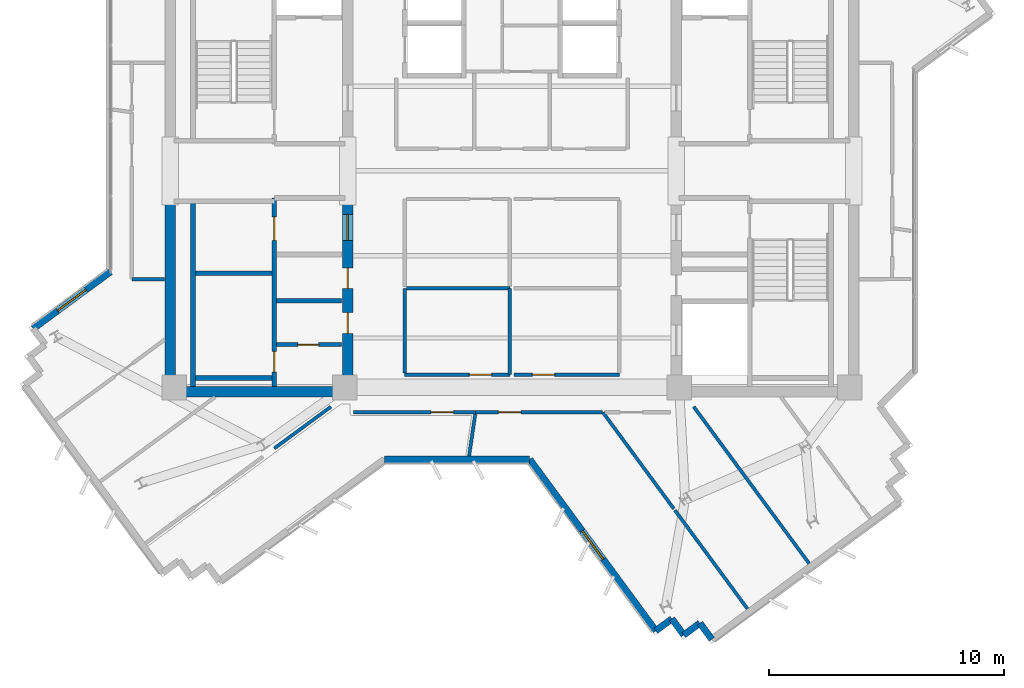
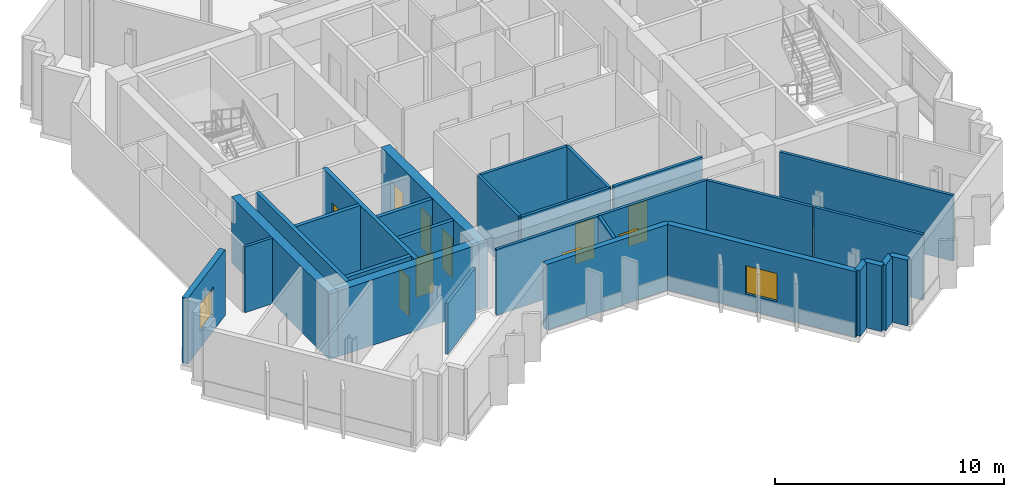
# One storey, part 6 of 13: 29 walls, 10 doors, 2 windows, 12 openings.
"""IFC4 building model written with IfcOpenShell, lengths in metres."""

from ifc_helpers import new_model, si_unit, direction, frame, frame_2d, origin, place, context, subcontext, project, spatial, rectangle, extrude, source, transform, mapped, material, layer, layer_set, type_object, element, fill, save


model = new_model("IFC4")

# Units and contexts
model_context = context("Model", 3, precision=1e-05, world=origin(), true_north=direction((0.0, 1.0)))
body_context = subcontext(model_context, "Body", "Model", "MODEL_VIEW")
ifc_project = project(units=[si_unit("LENGTHUNIT", "METRE"), si_unit("AREAUNIT", "SQUARE_METRE"), si_unit("VOLUMEUNIT", "CUBIC_METRE"), si_unit("PLANEANGLEUNIT", "RADIAN"), si_unit("MASSUNIT", "GRAM", prefix="KILO")], contexts=[model_context])

# Site, building, storey
site_placement = place(None, origin())
site = spatial("IfcSite", under=ifc_project, at=site_placement, CompositionType="ELEMENT")
building_placement = place(site_placement, origin())
building = spatial("IfcBuilding", under=site, at=building_placement, Name="Zahravan Cultural Tower", CompositionType="ELEMENT")
storey_placement = place(building_placement, frame((0.0, 0.0, 272.85009765625)))
storey = spatial("IfcBuildingStorey", under=building, at=storey_placement, Name="L65", CompositionType="ELEMENT", Elevation=272.85009765625)

# Wall, openings, doors
ifc_material_1 = material(Name="Concrete C50/60", Category="concrete")
ifc_layer_1 = layer(ifc_material_1, 0.449951171875)
ifc_layer_set_1 = layer_set([ifc_layer_1], Name="Concrete C50/60")
wall_type_1 = type_object("IfcWallType", Name="CW-SHEAR-450-C50", PredefinedType="SHEAR", material=ifc_layer_set_1)
wall_1_placement = place(storey_placement, frame((29.02490234375, 17.39990234375, 0.0), z_axis=(0.0, 0.0, 1.0), x_axis=(0.0, 1.0, 0.0)))
wall_1 = element("IfcWall", 1, at=wall_1_placement, inside=storey, type_object=wall_type_1, Name="L65 Core Shear Wall CW-W-ES-L65", PredefinedType="SHEAR", context=body_context, shape_type="SweptSolid", body=[
    extrude(rectangle(XDim=8.550048828125, YDim=0.449951171875, at=frame_2d((4.27490234375, 0.0))), origin(), (0.0, 0.0, 1.0), 3.5),
])
opening_1_placement = place(wall_1_placement, frame((6.64990234375, 0.0, 0.0)))
opening_1 = element("IfcOpeningElement", 2, at=opening_1_placement, cuts=wall_1, Name="Opening D-L65-08", PredefinedType="OPENING", context=body_context, shape_type="SweptSolid", body=[
    extrude(rectangle(XDim=1.10009765625, YDim=2.199951171875, at=frame_2d((0.550048828125, 1.10009765625))), frame((0.0, 0.23486328125, 0.0), z_axis=(0.0, -1.0, 0.0), x_axis=(1.0, 0.0, 0.0)), (0.0, 0.0, 1.0), 0.469970703125),
])
opening_2_placement = place(wall_1_placement, frame((2.699951171875, 0.0, 0.0)))
opening_2 = element("IfcOpeningElement", 3, at=opening_2_placement, cuts=wall_1, Name="Opening D-L65-11", PredefinedType="OPENING", context=body_context, shape_type="SweptSolid", body=[
    extrude(rectangle(XDim=0.8798828125, YDim=2.10009765625, at=frame_2d((0.43994140625, 1.050048828125))), frame((0.0, 0.23486328125, 0.0), z_axis=(0.0, -1.0, 0.0), x_axis=(1.0, 0.0, 0.0)), (0.0, 0.0, 1.0), 0.469970703125),
])
opening_3_placement = place(wall_1_placement, frame((4.60009765625, 0.0, 0.0)))
opening_3 = element("IfcOpeningElement", 4, at=opening_3_placement, cuts=wall_1, Name="Opening D-L65-12", PredefinedType="OPENING", context=body_context, shape_type="SweptSolid", body=[
    extrude(rectangle(XDim=0.8798828125, YDim=2.10009765625, at=frame_2d((0.43994140625, 1.050048828125))), frame((0.0, 0.23486328125, 0.0), z_axis=(0.0, -1.0, 0.0), x_axis=(1.0, 0.0, 0.0)), (0.0, 0.0, 1.0), 0.469970703125),
])
ifc_material_2 = material(Name="Steel ASTM A572 Grade 50", Category="steel")
door_type_1 = type_object("IfcDoorType", Name="DR-LOBBY-1100", OperationType="NOTDEFINED", PredefinedType="DOOR", material=ifc_material_2)
shared_shape_1 = source(origin(), body_context, "Body", "SweptSolid", [
    extrude(rectangle(XDim=1.10009765625, YDim=2.199951171875, at=frame_2d((0.550048828125, 1.10009765625))), frame((0.0, 0.02490234375, 0.0), z_axis=(0.0, -1.0, 0.0), x_axis=(1.0, 0.0, 0.0)), (0.0, 0.0, 1.0), 0.050048828125),
])
door_1_placement = place(opening_1_placement, origin())
door_1 = element("IfcDoor", 5, at=door_1_placement, inside=storey, type_object=door_type_1, Name="L65 Door D-L65-08", OperationType="SINGLE_SWING_LEFT", OverallHeight=2.199951171875, OverallWidth=1.10009765625, PredefinedType="DOOR", context=body_context, shape_type="MappedRepresentation", body=[
    mapped(shared_shape_1, transform((0.0, 0.0, 0.0), x_axis=(1.0, 0.0, 0.0), y_axis=(0.0, 1.0, 0.0), z_axis=(0.0, 0.0, 1.0), scale=1.0)),
])
fill(opening_1, door_1)
door_type_2 = type_object("IfcDoorType", Name="DR-SVC-880", OperationType="NOTDEFINED", PredefinedType="DOOR", material=ifc_material_2)
shared_shape_2 = source(origin(), body_context, "Body", "SweptSolid", [
    extrude(rectangle(XDim=0.8798828125, YDim=2.10009765625, at=frame_2d((0.43994140625, 1.050048828125))), frame((0.0, 0.02490234375, 0.0), z_axis=(0.0, -1.0, 0.0), x_axis=(1.0, 0.0, 0.0)), (0.0, 0.0, 1.0), 0.050048828125),
])
door_2_placement = place(opening_2_placement, origin())
door_2 = element("IfcDoor", 6, at=door_2_placement, inside=storey, type_object=door_type_2, Name="L65 Door D-L65-11", OperationType="SINGLE_SWING_RIGHT", OverallHeight=2.10009765625, OverallWidth=0.8798828125, PredefinedType="DOOR", context=body_context, shape_type="MappedRepresentation", body=[
    mapped(shared_shape_2, transform((0.0, 0.0, 0.0), x_axis=(1.0, 0.0, 0.0), y_axis=(0.0, 1.0, 0.0), z_axis=(0.0, 0.0, 1.0), scale=1.0)),
])
fill(opening_2, door_2)
door_3_placement = place(opening_3_placement, origin())
door_3 = element("IfcDoor", 7, at=door_3_placement, inside=storey, type_object=door_type_2, Name="L65 Door D-L65-12", OperationType="SINGLE_SWING_LEFT", OverallHeight=2.10009765625, OverallWidth=0.8798828125, PredefinedType="DOOR", context=body_context, shape_type="MappedRepresentation", body=[
    mapped(shared_shape_2, transform((0.0, 0.0, 0.0), x_axis=(1.0, 0.0, 0.0), y_axis=(0.0, 1.0, 0.0), z_axis=(0.0, 0.0, 1.0), scale=1.0)),
])
fill(opening_3, door_3)

# Wall, opening, window
ifc_material_3 = material(Name="Precast concrete C40/50", Category="concrete")
ifc_layer_2 = layer(ifc_material_3, 0.280029296875)
ifc_layer_set_2 = layer_set([ifc_layer_2], Name="Precast concrete C40/50")
wall_type_2 = type_object("IfcWallType", Name="EW-TC-280", PredefinedType="SOLIDWALL", material=ifc_layer_set_2)
wall_2_placement = place(storey_placement, frame((42.111083984375, 7.459716796875, 0.0), z_axis=(0.0, 0.0, 1.0), x_axis=(-0.592715239748, 0.805412096117, 0.0)))
wall_2 = element("IfcWall", 8, at=wall_2_placement, inside=storey, type_object=wall_type_2, Name="L65 Exterior Masonry Frame Wall 23", PredefinedType="SOLIDWALL", context=body_context, shape_type="SweptSolid", body=[
    extrude(rectangle(XDim=9.039306640625, YDim=0.280029296875, at=frame_2d((4.51953125, 0.0))), origin(), (0.0, 0.0, 1.0), 3.5),
])
opening_4_placement = place(wall_2_placement, frame((3.77001953125, 0.0, 0.85009765625)))
opening_4 = element("IfcOpeningElement", 9, at=opening_4_placement, cuts=wall_2, Name="Opening WN-03", PredefinedType="OPENING", context=body_context, shape_type="SweptSolid", body=[
    extrude(rectangle(XDim=1.5, YDim=1.5, at=frame_2d((0.75, 0.75))), frame((0.0, 0.14990234375, 0.0), z_axis=(0.0, -1.0, 0.0), x_axis=(1.0, 0.0, 0.0)), (0.0, 0.0, 1.0), 0.300048828125),
])
ifc_material_4 = material(Name="Low-E solar-control double glazing", Category="glass")
window_type = type_object("IfcWindowType", Name="WN-REC-1500X1500", PartitioningType="SINGLE_PANEL", PredefinedType="WINDOW", material=ifc_material_4)
shared_shape_3 = source(origin(), body_context, "Body", "SweptSolid", [
    extrude(rectangle(XDim=1.5, YDim=1.5, at=frame_2d((0.75, 0.75))), frame((0.0, 0.030029296875, 0.0), z_axis=(0.0, -1.0, 0.0), x_axis=(1.0, 0.0, 0.0)), (0.0, 0.0, 1.0), 0.06005859375),
])
window_1_placement = place(opening_4_placement, origin())
window_1 = element("IfcWindow", 10, at=window_1_placement, inside=storey, type_object=window_type, Name="L65 Recessed Solar Window 03", OverallHeight=1.5, OverallWidth=1.5, PartitioningType="SINGLE_PANEL", PredefinedType="WINDOW", context=body_context, shape_type="MappedRepresentation", body=[
    mapped(shared_shape_3, transform((0.0, 0.0, 0.0), x_axis=(1.0, 0.0, 0.0), y_axis=(0.0, 1.0, 0.0), z_axis=(0.0, 0.0, 1.0), scale=1.0)),
])
fill(opening_4, window_1)

wall_3_placement = place(storey_placement, frame((15.654296875, 20.29638671875, 0.0), z_axis=(0.0, 0.0, 1.0), x_axis=(0.805410687764, 0.592717153486, 0.0)))
wall_3 = element("IfcWall", 11, at=wall_3_placement, inside=storey, type_object=wall_type_2, Name="L65 Exterior Masonry Frame Wall 35", PredefinedType="SOLIDWALL", context=body_context, shape_type="SweptSolid", body=[
    extrude(rectangle(XDim=4.079345703125, YDim=0.280029296875, at=frame_2d((2.03955078125, 0.0))), origin(), (0.0, 0.0, 1.0), 3.5),
])
opening_5_placement = place(wall_3_placement, frame((1.2900390625, 0.0, 0.85009765625)))
opening_5 = element("IfcOpeningElement", 12, at=opening_5_placement, cuts=wall_3, Name="Opening WN-03", PredefinedType="OPENING", context=body_context, shape_type="SweptSolid", body=[
    extrude(rectangle(XDim=1.5, YDim=1.5, at=frame_2d((0.75, 0.75))), frame((0.0, 0.14990234375, 0.0), z_axis=(0.0, -1.0, 0.0), x_axis=(1.0, 0.0, 0.0)), (0.0, 0.0, 1.0), 0.300048828125),
])
window_2_placement = place(opening_5_placement, origin())
window_2 = element("IfcWindow", 13, at=window_2_placement, inside=storey, type_object=window_type, Name="L65 Recessed Solar Window 05", OverallHeight=1.5, OverallWidth=1.5, PartitioningType="SINGLE_PANEL", PredefinedType="WINDOW", context=body_context, shape_type="MappedRepresentation", body=[
    mapped(shared_shape_3, transform((0.0, 0.0, 0.0), x_axis=(1.0, 0.0, 0.0), y_axis=(0.0, 1.0, 0.0), z_axis=(0.0, 0.0, 1.0), scale=1.0)),
])
fill(opening_5, window_2)

# Wall, opening, door
ifc_material_5 = material(Name="Gypsum plasterboard partition")
ifc_layer_3 = layer(ifc_material_5, 0.179931640625)
ifc_layer_set_3 = layer_set([ifc_layer_3], Name="Gypsum plasterboard partition")
wall_type_3 = type_object("IfcWallType", Name="W-COMP-180", PredefinedType="PARTITIONING", material=ifc_layer_set_3)
wall_4_placement = place(storey_placement, frame((26.0, 19.6201171875, 0.0), z_axis=(0.0, 0.0, 1.0), x_axis=(1.0, 0.0, 0.0)))
wall_4 = element("IfcWall", 14, at=wall_4_placement, inside=storey, type_object=wall_type_3, Name="L65 Interior Wall 027", PredefinedType="PARTITIONING", context=body_context, shape_type="SweptSolid", body=[
    extrude(rectangle(XDim=2.75, YDim=0.179931640625, at=frame_2d((1.375, 0.0))), origin(), (0.0, 0.0, 1.0), 3.5),
])
opening_6_placement = place(wall_4_placement, frame((0.89990234375, 0.0, 0.0)))
opening_6 = element("IfcOpeningElement", 15, at=opening_6_placement, cuts=wall_4, Name="Opening D-L65-10", PredefinedType="OPENING", context=body_context, shape_type="SweptSolid", body=[
    extrude(rectangle(XDim=0.8798828125, YDim=2.10009765625, at=frame_2d((0.43994140625, 1.050048828125))), frame((0.0, 0.099853515625, 0.0), z_axis=(0.0, -1.0, 0.0), x_axis=(1.0, 0.0, 0.0)), (0.0, 0.0, 1.0), 0.199951171875),
])
door_4_placement = place(opening_6_placement, origin())
door_4 = element("IfcDoor", 16, at=door_4_placement, inside=storey, type_object=door_type_2, Name="L65 Door D-L65-10", OperationType="SINGLE_SWING_LEFT", OverallHeight=2.10009765625, OverallWidth=0.8798828125, PredefinedType="DOOR", context=body_context, shape_type="MappedRepresentation", body=[
    mapped(shared_shape_2, transform((0.0, 0.0, 0.0), x_axis=(1.0, 0.0, 0.0), y_axis=(0.0, 1.0, 0.0), z_axis=(0.0, 0.0, 1.0), scale=1.0)),
])
fill(opening_6, door_4)

ifc_layer_4 = layer(ifc_material_5, 0.139892578125)
ifc_layer_set_4 = layer_set([ifc_layer_4], Name="Gypsum plasterboard partition")
wall_type_4 = type_object("IfcWallType", Name="W-PART-140", PredefinedType="PARTITIONING", material=ifc_layer_set_4)
wall_5_placement = place(storey_placement, frame((35.909912109375, 18.340087890625, 0.0), z_axis=(0.0, 0.0, 1.0), x_axis=(-1.0, 0.0, 0.0)))
wall_5 = element("IfcWall", 17, at=wall_5_placement, inside=storey, type_object=wall_type_4, Name="L65 Interior Wall 058", PredefinedType="PARTITIONING", context=body_context, shape_type="SweptSolid", body=[
    extrude(rectangle(XDim=4.469970703125, YDim=0.139892578125, at=frame_2d((2.23486328125, 0.0))), origin(), (0.0, 0.0, 1.0), 3.5),
])
opening_7_placement = place(wall_5_placement, frame((0.7744140625, 0.0, 0.0)))
opening_7 = element("IfcOpeningElement", 18, at=opening_7_placement, cuts=wall_5, Name="Opening D-L65-14", PredefinedType="OPENING", context=body_context, shape_type="SweptSolid", body=[
    extrude(rectangle(XDim=0.949951171875, YDim=2.14990234375, at=frame_2d((0.47509765625, 1.074951171875))), frame((0.0, 0.079833984375, 0.0), z_axis=(0.0, -1.0, 0.0), x_axis=(1.0, 0.0, 0.0)), (0.0, 0.0, 1.0), 0.159912109375),
])
ifc_material_6 = material(Name="Anodised bronze-aluminium mullion", Category="aluminium")
door_type_3 = type_object("IfcDoorType", Name="DR-ROOM-950", OperationType="NOTDEFINED", PredefinedType="DOOR", material=ifc_material_6)
shared_shape_4 = source(origin(), body_context, "Body", "SweptSolid", [
    extrude(rectangle(XDim=0.949951171875, YDim=2.14990234375, at=frame_2d((0.47509765625, 1.074951171875))), frame((0.0, 0.02490234375, 0.0), z_axis=(0.0, -1.0, 0.0), x_axis=(1.0, 0.0, 0.0)), (0.0, 0.0, 1.0), 0.050048828125),
])
door_5_placement = place(opening_7_placement, origin())
door_5 = element("IfcDoor", 19, at=door_5_placement, inside=storey, type_object=door_type_3, Name="L65 Door D-L65-14", OperationType="SINGLE_SWING_LEFT", OverallHeight=2.14990234375, OverallWidth=0.949951171875, PredefinedType="DOOR", context=body_context, shape_type="MappedRepresentation", body=[
    mapped(shared_shape_4, transform((0.0, 0.0, 0.0), x_axis=(1.0, 0.0, 0.0), y_axis=(0.0, 1.0, 0.0), z_axis=(0.0, 0.0, 1.0), scale=1.0)),
])
fill(opening_7, door_5)

wall_6_placement = place(storey_placement, frame((40.56005859375, 18.340087890625, 0.0), z_axis=(0.0, 0.0, 1.0), x_axis=(-1.0, 0.0, 0.0)))
wall_6 = element("IfcWall", 20, at=wall_6_placement, inside=storey, type_object=wall_type_4, Name="L65 Interior Wall 062", PredefinedType="PARTITIONING", context=body_context, shape_type="SweptSolid", body=[
    extrude(rectangle(XDim=4.469970703125, YDim=0.139892578125, at=frame_2d((2.23486328125, 0.0))), origin(), (0.0, 0.0, 1.0), 3.5),
])
opening_8_placement = place(wall_6_placement, frame((2.74560546875, 0.0, 0.0)))
opening_8 = element("IfcOpeningElement", 21, at=opening_8_placement, cuts=wall_6, Name="Opening D-L65-16", PredefinedType="OPENING", context=body_context, shape_type="SweptSolid", body=[
    extrude(rectangle(XDim=0.949951171875, YDim=2.14990234375, at=frame_2d((0.47509765625, 1.074951171875))), frame((0.0, 0.079833984375, 0.0), z_axis=(0.0, -1.0, 0.0), x_axis=(1.0, 0.0, 0.0)), (0.0, 0.0, 1.0), 0.159912109375),
])
door_6_placement = place(opening_8_placement, origin())
door_6 = element("IfcDoor", 22, at=door_6_placement, inside=storey, type_object=door_type_3, Name="L65 Door D-L65-16", OperationType="SINGLE_SWING_LEFT", OverallHeight=2.14990234375, OverallWidth=0.949951171875, PredefinedType="DOOR", context=body_context, shape_type="MappedRepresentation", body=[
    mapped(shared_shape_4, transform((0.0, 0.0, 0.0), x_axis=(1.0, 0.0, 0.0), y_axis=(0.0, 1.0, 0.0), z_axis=(0.0, 0.0, 1.0), scale=1.0)),
])
fill(opening_8, door_6)

wall_7_placement = place(storey_placement, frame((29.257568359375, 16.740234375, 0.0), z_axis=(0.0, 0.0, 1.0), x_axis=(0.999999998895, -4.7021207e-05, 0.0)))
wall_7 = element("IfcWall", 23, at=wall_7_placement, inside=storey, type_object=wall_type_4, Name="L65 Interior Wall 088", PredefinedType="PARTITIONING", context=body_context, shape_type="SweptSolid", body=[
    extrude(rectangle(XDim=5.192138671875, YDim=0.139892578125, at=frame_2d((2.59619140625, 0.0))), origin(), (0.0, 0.0, 1.0), 3.5),
])
opening_9_placement = place(wall_7_placement, frame((3.308837890625, 0.0, 0.0)))
opening_9 = element("IfcOpeningElement", 24, at=opening_9_placement, cuts=wall_7, Name="Opening D-L65-28", PredefinedType="OPENING", context=body_context, shape_type="SweptSolid", body=[
    extrude(rectangle(XDim=0.949951171875, YDim=2.14990234375, at=frame_2d((0.47509765625, 1.074951171875))), frame((0.0, 0.079833984375, 0.0), z_axis=(0.0, -1.0, 0.0), x_axis=(1.0, 0.0, 0.0)), (0.0, 0.0, 1.0), 0.159912109375),
])
door_7_placement = place(opening_9_placement, origin())
door_7 = element("IfcDoor", 25, at=door_7_placement, inside=storey, type_object=door_type_3, Name="L65 Door D-L65-28", OperationType="SINGLE_SWING_LEFT", OverallHeight=2.14990234375, OverallWidth=0.949951171875, PredefinedType="DOOR", context=body_context, shape_type="MappedRepresentation", body=[
    mapped(shared_shape_4, transform((0.0, 0.0, 0.0), x_axis=(1.0, 0.0, 0.0), y_axis=(0.0, 1.0, 0.0), z_axis=(0.0, 0.0, 1.0), scale=1.0)),
])
fill(opening_9, door_7)

wall_8_placement = place(storey_placement, frame((34.44970703125, 16.739990234375, 0.0), z_axis=(0.0, 0.0, 1.0), x_axis=(1.0, 0.0, 0.0)))
wall_8 = element("IfcWall", 26, at=wall_8_placement, inside=storey, type_object=wall_type_4, Name="L65 Interior Wall 090", PredefinedType="PARTITIONING", context=body_context, shape_type="SweptSolid", body=[
    extrude(rectangle(XDim=5.388427734375, YDim=0.139892578125, at=frame_2d((2.6943359375, 0.0))), origin(), (0.0, 0.0, 1.0), 3.5),
])
opening_10_placement = place(wall_8_placement, frame((0.976318359375, 0.0, 0.0)))
opening_10 = element("IfcOpeningElement", 27, at=opening_10_placement, cuts=wall_8, Name="Opening D-L65-29", PredefinedType="OPENING", context=body_context, shape_type="SweptSolid", body=[
    extrude(rectangle(XDim=0.949951171875, YDim=2.14990234375, at=frame_2d((0.47509765625, 1.074951171875))), frame((0.0, 0.079833984375, 0.0), z_axis=(0.0, -1.0, 0.0), x_axis=(1.0, 0.0, 0.0)), (0.0, 0.0, 1.0), 0.159912109375),
])
door_8_placement = place(opening_10_placement, origin())
door_8 = element("IfcDoor", 28, at=door_8_placement, inside=storey, type_object=door_type_3, Name="L65 Door D-L65-29", OperationType="SINGLE_SWING_RIGHT", OverallHeight=2.14990234375, OverallWidth=0.949951171875, PredefinedType="DOOR", context=body_context, shape_type="MappedRepresentation", body=[
    mapped(shared_shape_4, transform((0.0, 0.0, 0.0), x_axis=(1.0, 0.0, 0.0), y_axis=(0.0, 1.0, 0.0), z_axis=(0.0, 0.0, 1.0), scale=1.0)),
])
fill(opening_10, door_8)

# Wall, openings, doors
ifc_material_7 = material(Name="Concrete C45/55", Category="concrete")
ifc_layer_5 = layer(ifc_material_7, 0.199951171875)
ifc_layer_set_5 = layer_set([ifc_layer_5], Name="Concrete C45/55")
wall_type_5 = type_object("IfcWallType", Name="W-SHAFT-200", PredefinedType="SOLIDWALL", material=ifc_layer_set_5)
wall_9_placement = place(storey_placement, frame((25.89990234375, 17.85009765625, 0.0), z_axis=(0.0, 0.0, 1.0), x_axis=(0.0, 1.0, 0.0)))
wall_9 = element("IfcWall", 29, at=wall_9_placement, inside=storey, type_object=wall_type_5, Name="L65 Interior Wall 005", PredefinedType="SOLIDWALL", context=body_context, shape_type="SweptSolid", body=[
    extrude(rectangle(XDim=8.0, YDim=0.199951171875, at=frame_2d((4.0, 0.0))), origin(), (0.0, 0.0, 1.0), 3.5),
])
opening_11_placement = place(wall_9_placement, frame((6.199951171875, 0.0, 0.0)))
opening_11 = element("IfcOpeningElement", 30, at=opening_11_placement, cuts=wall_9, Name="Opening D-L65-04", PredefinedType="OPENING", context=body_context, shape_type="SweptSolid", body=[
    extrude(rectangle(XDim=1.0, YDim=2.14990234375, at=frame_2d((0.5, 1.074951171875))), frame((0.0, 0.10986328125, 0.0), z_axis=(0.0, -1.0, 0.0), x_axis=(1.0, 0.0, 0.0)), (0.0, 0.0, 1.0), 0.219970703125),
])
opening_12_placement = place(wall_9_placement, frame((0.60009765625, 0.0, 0.0)))
opening_12 = element("IfcOpeningElement", 31, at=opening_12_placement, cuts=wall_9, Name="Opening D-L65-05", PredefinedType="OPENING", context=body_context, shape_type="SweptSolid", body=[
    extrude(rectangle(XDim=0.8798828125, YDim=2.10009765625, at=frame_2d((0.43994140625, 1.050048828125))), frame((0.0, 0.10986328125, 0.0), z_axis=(0.0, -1.0, 0.0), x_axis=(1.0, 0.0, 0.0)), (0.0, 0.0, 1.0), 0.219970703125),
])
door_9_placement = place(opening_12_placement, origin())
door_9 = element("IfcDoor", 32, at=door_9_placement, inside=storey, type_object=door_type_2, Name="L65 Door D-L65-05", OperationType="SINGLE_SWING_RIGHT", OverallHeight=2.10009765625, OverallWidth=0.8798828125, PredefinedType="DOOR", context=body_context, shape_type="MappedRepresentation", body=[
    mapped(shared_shape_2, transform((0.0, 0.0, 0.0), x_axis=(1.0, 0.0, 0.0), y_axis=(0.0, 1.0, 0.0), z_axis=(0.0, 0.0, 1.0), scale=1.0)),
])
fill(opening_12, door_9)
door_type_4 = type_object("IfcDoorType", Name="DR-COMP-1000", OperationType="NOTDEFINED", PredefinedType="DOOR", material=ifc_material_2)
shared_shape_5 = source(origin(), body_context, "Body", "SweptSolid", [
    extrude(rectangle(XDim=1.0, YDim=2.14990234375, at=frame_2d((0.5, 1.074951171875))), frame((0.0, 0.02490234375, 0.0), z_axis=(0.0, -1.0, 0.0), x_axis=(1.0, 0.0, 0.0)), (0.0, 0.0, 1.0), 0.050048828125),
])
door_10_placement = place(opening_11_placement, origin())
door_10 = element("IfcDoor", 33, at=door_10_placement, inside=storey, type_object=door_type_4, Name="L65 Door D-L65-04", OperationType="SINGLE_SWING_LEFT", OverallHeight=2.14990234375, OverallWidth=1.0, PredefinedType="DOOR", context=body_context, shape_type="MappedRepresentation", body=[
    mapped(shared_shape_5, transform((0.0, 0.0, 0.0), x_axis=(1.0, 0.0, 0.0), y_axis=(0.0, 1.0, 0.0), z_axis=(0.0, 0.0, 1.0), scale=1.0)),
])
fill(opening_11, door_10)

# Walls
shared_shape_6 = source(origin(), body_context, "Body", "SweptSolid", [
    extrude(rectangle(XDim=8.550048828125, YDim=0.449951171875, at=frame_2d((4.27490234375, 0.0))), origin(), (0.0, 0.0, 1.0), 3.5),
])
wall_10_placement = place(storey_placement, frame((21.47509765625, 17.39990234375, 0.0), z_axis=(0.0, 0.0, 1.0), x_axis=(0.0, 1.0, 0.0)))
element("IfcWall", 34, at=wall_10_placement, inside=storey, type_object=wall_type_1, Name="L65 Core Shear Wall CW-W-WS-L65", PredefinedType="SHEAR", context=body_context, shape_type="MappedRepresentation", body=[
    mapped(shared_shape_6, transform((0.0, 0.0, 0.0), x_axis=(1.0, 0.0, 0.0), y_axis=(0.0, 1.0, 0.0), z_axis=(0.0, 0.0, 1.0), scale=1.0)),
])
shared_shape_7 = source(origin(), body_context, "Body", "SweptSolid", [
    extrude(rectangle(XDim=7.10009765625, YDim=0.449951171875, at=frame_2d((3.550048828125, 0.0))), origin(), (0.0, 0.0, 1.0), 3.5),
])
wall_11_placement = place(storey_placement, frame((21.699951171875, 17.625, 0.0), z_axis=(0.0, 0.0, 1.0), x_axis=(1.0, 0.0, 0.0)))
element("IfcWall", 35, at=wall_11_placement, inside=storey, type_object=wall_type_1, Name="L65 Core Shear Wall CW-W-S-L65", PredefinedType="SHEAR", context=body_context, shape_type="MappedRepresentation", body=[
    mapped(shared_shape_7, transform((0.0, 0.0, 0.0), x_axis=(1.0, 0.0, 0.0), y_axis=(0.0, 1.0, 0.0), z_axis=(0.0, 0.0, 1.0), scale=1.0)),
])
shared_shape_8 = source(origin(), body_context, "Body", "SweptSolid", [
    extrude(rectangle(XDim=0.85009765625, YDim=0.280029296875, at=frame_2d((0.425048828125, 0.0))), origin(), (0.0, 0.0, 1.0), 3.5),
])
for number, where, z_axis, x_axis, name in (
    (36, (44.48779296875, 7.09814453125, 0.0), (0.0, 0.0, 1.0), (-0.592807079659, 0.80534450163, 0.0), "L65 Exterior Masonry Frame Wall 19"),
    (37, (43.98388671875, 7.78271484375, 0.0), (0.0, 0.0, 1.0), (-0.80534450163, -0.592807079659, 0.0), "L65 Exterior Masonry Frame Wall 20"),
):
    element("IfcWall", number, at=place(storey_placement, frame(where, z_axis=z_axis, x_axis=x_axis)), inside=storey, type_object=wall_type_2, Name=name, PredefinedType="SOLIDWALL", context=body_context, shape_type="MappedRepresentation", body=[
        mapped(shared_shape_8, transform((0.0, 0.0, 0.0), x_axis=(1.0, 0.0, 0.0), y_axis=(0.0, 1.0, 0.0), z_axis=(0.0, 0.0, 1.0), scale=1.0)),
    ])
shared_shape_9 = source(origin(), body_context, "Body", "SweptSolid", [
    extrude(rectangle(XDim=0.849853515625, YDim=0.280029296875, at=frame_2d((0.4248046875, 0.0))), origin(), (0.0, 0.0, 1.0), 3.5),
])
for number, where, z_axis, x_axis, name in (
    (38, (43.29931640625, 7.27880859375, 0.0), (0.0, 0.0, 1.0), (-0.592620751712, 0.805481622783, 0.0), "L65 Exterior Masonry Frame Wall 21"),
    (39, (42.795654296875, 7.96337890625, 0.0), (0.0, 0.0, 1.0), (-0.805481622783, -0.592620751712, 0.0), "L65 Exterior Masonry Frame Wall 22"),
):
    element("IfcWall", number, at=place(storey_placement, frame(where, z_axis=z_axis, x_axis=x_axis)), inside=storey, type_object=wall_type_2, Name=name, PredefinedType="SOLIDWALL", context=body_context, shape_type="MappedRepresentation", body=[
        mapped(shared_shape_9, transform((0.0, 0.0, 0.0), x_axis=(1.0, 0.0, 0.0), y_axis=(0.0, 1.0, 0.0), z_axis=(0.0, 0.0, 1.0), scale=1.0)),
    ])
shared_shape_10 = source(origin(), body_context, "Body", "SweptSolid", [
    extrude(rectangle(XDim=6.176513671875, YDim=0.280029296875, at=frame_2d((3.08837890625, 0.0))), origin(), (0.0, 0.0, 1.0), 3.5),
])
wall_12_placement = place(storey_placement, frame((36.75341796875, 14.739990234375, 0.0), z_axis=(0.0, 0.0, 1.0), x_axis=(-1.0, 0.0, 0.0)))
element("IfcWall", 40, at=wall_12_placement, inside=storey, type_object=wall_type_2, Name="L65 Exterior Masonry Frame Wall 24", PredefinedType="SOLIDWALL", context=body_context, shape_type="MappedRepresentation", body=[
    mapped(shared_shape_10, transform((0.0, 0.0, 0.0), x_axis=(1.0, 0.0, 0.0), y_axis=(0.0, 1.0, 0.0), z_axis=(0.0, 0.0, 1.0), scale=1.0)),
])
shared_shape_11 = source(origin(), body_context, "Body", "SweptSolid", [
    extrude(rectangle(XDim=7.869873046875, YDim=0.199951171875, at=frame_2d((3.93505859375, 0.0))), origin(), (0.0, 0.0, 1.0), 3.5),
])
wall_13_placement = place(storey_placement, frame((22.449951171875, 17.85009765625, 0.0), z_axis=(0.0, 0.0, 1.0), x_axis=(0.0, 1.0, 0.0)))
element("IfcWall", 41, at=wall_13_placement, inside=storey, type_object=wall_type_5, Name="L65 Interior Wall 001", PredefinedType="SOLIDWALL", context=body_context, shape_type="MappedRepresentation", body=[
    mapped(shared_shape_11, transform((0.0, 0.0, 0.0), x_axis=(1.0, 0.0, 0.0), y_axis=(0.0, 1.0, 0.0), z_axis=(0.0, 0.0, 1.0), scale=1.0)),
])
shared_shape_12 = source(origin(), body_context, "Body", "SweptSolid", [
    extrude(rectangle(XDim=3.25, YDim=0.199951171875, at=frame_2d((1.625, 0.0))), origin(), (0.0, 0.0, 1.0), 3.5),
])
wall_14_placement = place(storey_placement, frame((22.550048828125, 18.199951171875, 0.0), z_axis=(0.0, 0.0, 1.0), x_axis=(1.0, 0.0, 0.0)))
element("IfcWall", 42, at=wall_14_placement, inside=storey, type_object=wall_type_5, Name="L65 Interior Wall 019", PredefinedType="SOLIDWALL", context=body_context, shape_type="MappedRepresentation", body=[
    mapped(shared_shape_12, transform((0.0, 0.0, 0.0), x_axis=(1.0, 0.0, 0.0), y_axis=(0.0, 1.0, 0.0), z_axis=(0.0, 0.0, 1.0), scale=1.0)),
])
shared_shape_13 = source(origin(), body_context, "Body", "SweptSolid", [
    extrude(rectangle(XDim=3.25, YDim=0.179931640625, at=frame_2d((1.625, 0.0))), origin(), (0.0, 0.0, 1.0), 3.5),
])
wall_15_placement = place(storey_placement, frame((22.550048828125, 22.64990234375, 0.0), z_axis=(0.0, 0.0, 1.0), x_axis=(1.0, 0.0, 0.0)))
element("IfcWall", 43, at=wall_15_placement, inside=storey, type_object=wall_type_3, Name="L65 Interior Wall 021", PredefinedType="PARTITIONING", context=body_context, shape_type="MappedRepresentation", body=[
    mapped(shared_shape_13, transform((0.0, 0.0, 0.0), x_axis=(1.0, 0.0, 0.0), y_axis=(0.0, 1.0, 0.0), z_axis=(0.0, 0.0, 1.0), scale=1.0)),
])
shared_shape_14 = source(origin(), body_context, "Body", "SweptSolid", [
    extrude(rectangle(XDim=2.75, YDim=0.179931640625, at=frame_2d((1.375, 0.0))), origin(), (0.0, 0.0, 1.0), 3.5),
])
wall_16_placement = place(storey_placement, frame((26.0, 21.47998046875, 0.0), z_axis=(0.0, 0.0, 1.0), x_axis=(1.0, 0.0, 0.0)))
element("IfcWall", 44, at=wall_16_placement, inside=storey, type_object=wall_type_3, Name="L65 Interior Wall 028", PredefinedType="PARTITIONING", context=body_context, shape_type="MappedRepresentation", body=[
    mapped(shared_shape_14, transform((0.0, 0.0, 0.0), x_axis=(1.0, 0.0, 0.0), y_axis=(0.0, 1.0, 0.0), z_axis=(0.0, 0.0, 1.0), scale=1.0)),
])
shared_shape_15 = source(origin(), body_context, "Body", "SweptSolid", [
    extrude(rectangle(XDim=1.38916015625, YDim=0.139892578125, at=frame_2d((0.694580078125, 0.0))), origin(), (0.0, 0.0, 1.0), 3.5),
])
wall_17_placement = place(storey_placement, frame((19.85595703125, 22.39990234375, 0.0), z_axis=(0.0, 0.0, 1.0), x_axis=(1.0, 0.0, 0.0)))
element("IfcWall", 45, at=wall_17_placement, inside=storey, type_object=wall_type_4, Name="L65 Interior Wall 082", PredefinedType="PARTITIONING", context=body_context, shape_type="MappedRepresentation", body=[
    mapped(shared_shape_15, transform((0.0, 0.0, 0.0), x_axis=(1.0, 0.0, 0.0), y_axis=(0.0, 1.0, 0.0), z_axis=(0.0, 0.0, 1.0), scale=1.0)),
])
shared_shape_16 = source(origin(), body_context, "Body", "SweptSolid", [
    extrude(rectangle(XDim=3.594970703125, YDim=0.139892578125, at=frame_2d((1.79736328125, 0.0))), origin(), (0.0, 0.0, 1.0), 3.5),
])
wall_18_placement = place(storey_placement, frame((31.43994140625, 18.4150390625, 0.0), z_axis=(0.0, 0.0, 1.0), x_axis=(0.0, 1.0, 0.0)))
element("IfcWall", 46, at=wall_18_placement, inside=storey, type_object=wall_type_4, Name="L65 Interior Wall 059", PredefinedType="PARTITIONING", context=body_context, shape_type="MappedRepresentation", body=[
    mapped(shared_shape_16, transform((0.0, 0.0, 0.0), x_axis=(1.0, 0.0, 0.0), y_axis=(0.0, 1.0, 0.0), z_axis=(0.0, 0.0, 1.0), scale=1.0)),
])
shared_shape_17 = source(origin(), body_context, "Body", "SweptSolid", [
    extrude(rectangle(XDim=4.39501953125, YDim=0.139892578125, at=frame_2d((2.197509765625, 0.0))), origin(), (0.0, 0.0, 1.0), 3.5),
])
wall_19_placement = place(storey_placement, frame((31.514892578125, 22.010009765625, 0.0), z_axis=(0.0, 0.0, 1.0), x_axis=(1.0, 0.0, 0.0)))
element("IfcWall", 47, at=wall_19_placement, inside=storey, type_object=wall_type_4, Name="L65 Interior Wall 060", PredefinedType="PARTITIONING", context=body_context, shape_type="MappedRepresentation", body=[
    mapped(shared_shape_17, transform((0.0, 0.0, 0.0), x_axis=(1.0, 0.0, 0.0), y_axis=(0.0, 1.0, 0.0), z_axis=(0.0, 0.0, 1.0), scale=1.0)),
])
shared_shape_18 = source(origin(), body_context, "Body", "SweptSolid", [
    extrude(rectangle(XDim=3.669921875, YDim=0.139892578125, at=frame_2d((1.8349609375, 0.0))), origin(), (0.0, 0.0, 1.0), 3.5),
])
wall_20_placement = place(storey_placement, frame((35.909912109375, 22.010009765625, 0.0), z_axis=(0.0, 0.0, 1.0), x_axis=(0.0, -1.0, 0.0)))
element("IfcWall", 48, at=wall_20_placement, inside=storey, type_object=wall_type_4, Name="L65 Interior Wall 061", PredefinedType="PARTITIONING", context=body_context, shape_type="MappedRepresentation", body=[
    mapped(shared_shape_18, transform((0.0, 0.0, 0.0), x_axis=(1.0, 0.0, 0.0), y_axis=(0.0, 1.0, 0.0), z_axis=(0.0, 0.0, 1.0), scale=1.0)),
])
shared_shape_19 = source(origin(), body_context, "Body", "SweptSolid", [
    extrude(rectangle(XDim=8.26806640625, YDim=0.139892578125, at=frame_2d((4.134033203125, 0.0))), origin(), (0.0, 0.0, 1.0), 3.5),
])
wall_21_placement = place(storey_placement, frame((48.622314453125, 10.32080078125, 0.0), z_axis=(0.0, 0.0, 1.0), x_axis=(-0.592718477136, 0.805409713663, 0.0)))
element("IfcWall", 49, at=wall_21_placement, inside=storey, type_object=wall_type_4, Name="L65 Interior Wall 072", PredefinedType="PARTITIONING", context=body_context, shape_type="MappedRepresentation", body=[
    mapped(shared_shape_19, transform((0.0, 0.0, 0.0), x_axis=(1.0, 0.0, 0.0), y_axis=(0.0, 1.0, 0.0), z_axis=(0.0, 0.0, 1.0), scale=1.0)),
])
shared_shape_20 = source(origin(), body_context, "Body", "SweptSolid", [
    extrude(rectangle(XDim=2.98486328125, YDim=0.139892578125, at=frame_2d((1.492431640625, 0.0))), origin(), (0.0, 0.0, 1.0), 2.712890625),
])
wall_22_placement = place(storey_placement, frame((28.30615234375, 16.97998046875, 0.0), z_axis=(0.0, 0.0, 1.0), x_axis=(-0.80539491033, -0.592738591973, 0.0)))
element("IfcWall", 50, at=wall_22_placement, inside=storey, type_object=wall_type_4, Name="L65 Interior Wall 075", PredefinedType="PARTITIONING", context=body_context, shape_type="MappedRepresentation", body=[
    mapped(shared_shape_20, transform((0.0, 0.0, 0.0), x_axis=(1.0, 0.0, 0.0), y_axis=(0.0, 1.0, 0.0), z_axis=(0.0, 0.0, 1.0), scale=1.0)),
])
shared_shape_21 = source(origin(), body_context, "Body", "SweptSolid", [
    extrude(rectangle(XDim=5.200439453125, YDim=0.139892578125, at=frame_2d((2.60009765625, 0.0))), origin(), (0.0, 0.0, 1.0), 3.5),
])
wall_23_placement = place(storey_placement, frame((46.004638671875, 8.394287109375, 0.0), z_axis=(0.0, 0.0, 1.0), x_axis=(-0.592704087561, 0.805420303065, 0.0)))
element("IfcWall", 51, at=wall_23_placement, inside=storey, type_object=wall_type_4, Name="L65 Interior Wall 085", PredefinedType="PARTITIONING", context=body_context, shape_type="MappedRepresentation", body=[
    mapped(shared_shape_21, transform((0.0, 0.0, 0.0), x_axis=(1.0, 0.0, 0.0), y_axis=(0.0, 1.0, 0.0), z_axis=(0.0, 0.0, 1.0), scale=1.0)),
])
shared_shape_22 = source(origin(), body_context, "Body", "SweptSolid", [
    extrude(rectangle(XDim=5.085693359375, YDim=0.139892578125, at=frame_2d((2.54296875, 0.0))), origin(), (0.0, 0.0, 1.0), 3.5),
])
wall_24_placement = place(storey_placement, frame((42.877197265625, 12.643798828125, 0.0), z_axis=(0.0, 0.0, 1.0), x_axis=(-0.592678177251, 0.805439369668, 0.0)))
element("IfcWall", 52, at=wall_24_placement, inside=storey, type_object=wall_type_4, Name="L65 Interior Wall 086", PredefinedType="PARTITIONING", context=body_context, shape_type="MappedRepresentation", body=[
    mapped(shared_shape_22, transform((0.0, 0.0, 0.0), x_axis=(1.0, 0.0, 0.0), y_axis=(0.0, 1.0, 0.0), z_axis=(0.0, 0.0, 1.0), scale=1.0)),
])
shared_shape_23 = source(origin(), body_context, "Body", "SweptSolid", [
    extrude(rectangle(XDim=1.79931640625, YDim=0.139892578125, at=frame_2d((0.899658203125, 0.0))), origin(), (0.0, 0.0, 1.0), 3.5),
])
wall_25_placement = place(storey_placement, frame((34.438720703125, 16.6650390625, 0.0), z_axis=(0.0, 0.0, 1.0), x_axis=(-0.14573227875, -0.989324063657, 0.0)))
element("IfcWall", 53, at=wall_25_placement, inside=storey, type_object=wall_type_4, Name="L65 Interior Wall 089", PredefinedType="PARTITIONING", context=body_context, shape_type="MappedRepresentation", body=[
    mapped(shared_shape_23, transform((0.0, 0.0, 0.0), x_axis=(1.0, 0.0, 0.0), y_axis=(0.0, 1.0, 0.0), z_axis=(0.0, 0.0, 1.0), scale=1.0)),
])

save(model, "model.ifc")
